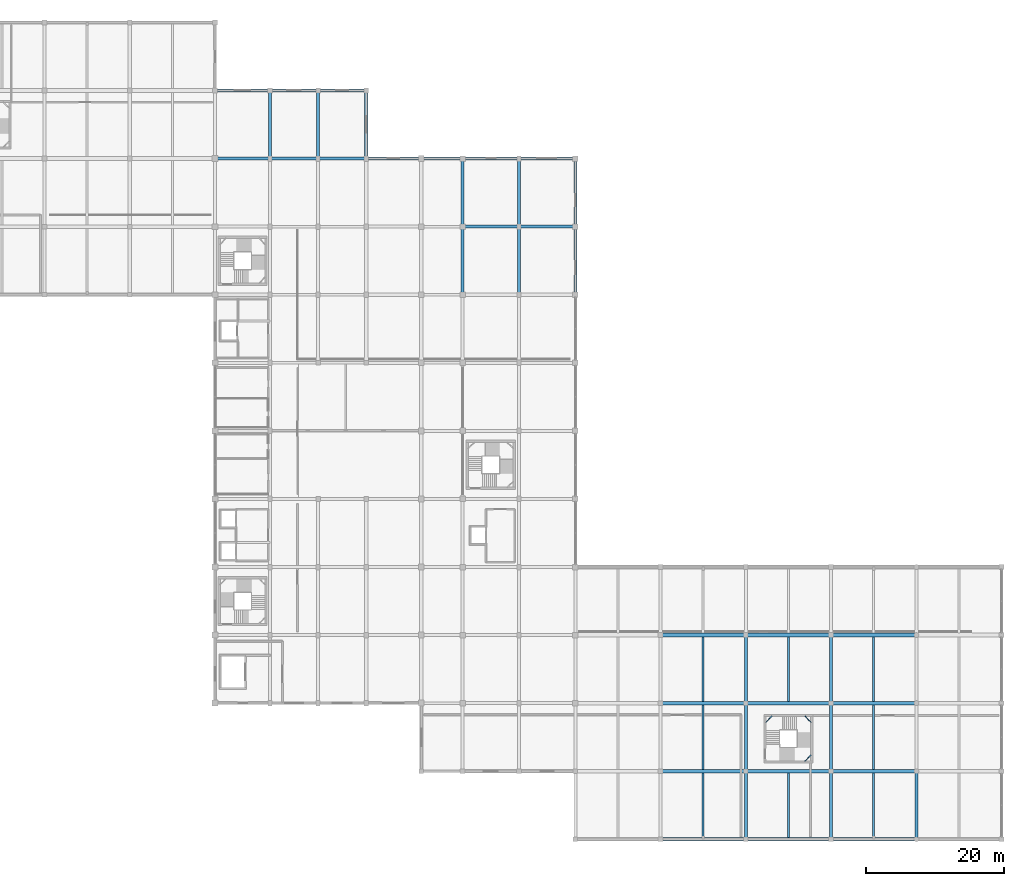
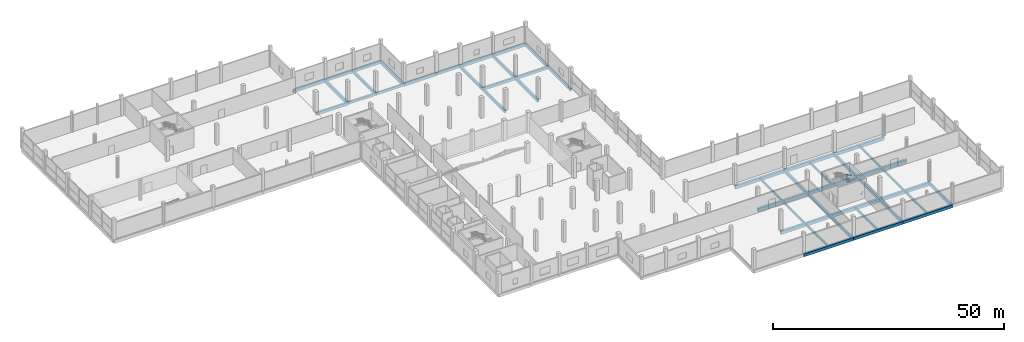
# One storey, part 31 of 72: 51 beams.
"""IFC4 building model written with IfcOpenShell, lengths in metres."""

from ifc_helpers import new_model, si_unit, direction, frame, origin, origin_2d, place, context, subcontext, project, spatial, rectangle, hollow_rectangle, extrude, material, material_profile, profile_set, type_object, element, save


model = new_model("IFC4")

# Units and contexts
model_context = context("Model", 3, precision=1e-05, world=origin(), true_north=direction((0.0, 1.0)))
body_context = subcontext(model_context, "Body", "Model", "MODEL_VIEW")
ifc_project = project(units=[si_unit("LENGTHUNIT", "METRE"), si_unit("AREAUNIT", "SQUARE_METRE"), si_unit("VOLUMEUNIT", "CUBIC_METRE"), si_unit("PLANEANGLEUNIT", "RADIAN"), si_unit("MASSUNIT", "GRAM", prefix="KILO")], contexts=[model_context])

# Site, building, storey
site_placement = place(None, origin())
site = spatial("IfcSite", under=ifc_project, at=site_placement, CompositionType="ELEMENT")
building_placement = place(site_placement, origin())
building = spatial("IfcBuilding", under=site, at=building_placement, Name="Sillaruma Civic Art Gallery", CompositionType="ELEMENT")
storey_placement = place(building_placement, frame((0.0, 0.0, 10.8798828125)))
storey = spatial("IfcBuildingStorey", under=building, at=storey_placement, Name="L02", CompositionType="ELEMENT", Elevation=10.8798828125)

# Beams
ifc_material_1 = material(Name="Concrete H35 (35 MPa)", Category="concrete")
ifc_material_profile_1 = material_profile(ifc_material_1, rectangle(XDim=0.39990234375, YDim=0.64990234375, at=origin_2d()), Name="RCB400x650")
ifc_profile_set_1 = profile_set([ifc_material_profile_1], Name="Concrete H35 (35 MPa)")
beam_type_1 = type_object("IfcBeamType", Name="BM-BEAM-RCB400x650", PredefinedType="BEAM", material=ifc_profile_set_1)
for number, where, z_axis, x_axis, name in (
    (1, (70.0, 99.0, -0.5849609375), (1.0, 0.0, 0.0), (0.0, 1.0, 0.0), "Beam BM-05 (L01:11:G-H)"),
    (2, (77.0, 99.0, -0.5849609375), (1.0, 0.0, 0.0), (0.0, 1.0, 0.0), "Beam BM-05 (L01:11:H-J)"),
):
    element("IfcBeam", number, at=place(storey_placement, frame(where, z_axis=z_axis, x_axis=x_axis)), inside=storey, type_object=beam_type_1, Name=name, PredefinedType="BEAM", context=body_context, shape_type="SweptSolid", body=[
        extrude(rectangle(XDim=0.39990234375, YDim=0.64990234375, at=origin_2d()), origin(), (0.0, 0.0, 1.0), 7.0),
    ])
beam_1_placement = place(storey_placement, frame((92.0, 99.0, -0.5849609375), z_axis=(1.0, 0.0, 0.0), x_axis=(0.0, 1.0, 0.0)))
element("IfcBeam", 3, at=beam_1_placement, inside=storey, type_object=beam_type_1, Name="Beam BM-05 (L01:11:K-L)", PredefinedType="BEAM", context=body_context, shape_type="SweptSolid", body=[
    extrude(rectangle(XDim=0.39990234375, YDim=0.64990234375, at=origin_2d()), origin(), (0.0, 0.0, 1.0), 6.0),
])
for number, where, z_axis, x_axis, name in (
    (4, (70.0, 108.89990234375, -0.5849609375), (1.0, 0.0, 0.0), (0.0, 1.0, 0.0), "Beam BM-05 (L01:12:G-H)"),
    (5, (77.0, 108.89990234375, -0.5849609375), (1.0, 0.0, 0.0), (0.0, 1.0, 0.0), "Beam BM-05 (L01:12:H-J)"),
):
    element("IfcBeam", number, at=place(storey_placement, frame(where, z_axis=z_axis, x_axis=x_axis)), inside=storey, type_object=beam_type_1, Name=name, PredefinedType="BEAM", context=body_context, shape_type="SweptSolid", body=[
        extrude(rectangle(XDim=0.39990234375, YDim=0.64990234375, at=origin_2d()), origin(), (0.0, 0.0, 1.0), 7.0),
    ])
ifc_material_2 = material(Name="Concrete H40 (40 MPa)", Category="concrete")
ifc_material_profile_2 = material_profile(ifc_material_2, rectangle(XDim=0.449951171875, YDim=0.75, at=origin_2d()), Name="RCB450x750")
ifc_profile_set_2 = profile_set([ifc_material_profile_2], Name="Concrete H40 (40 MPa)")
beam_type_2 = type_object("IfcBeamType", Name="BM-BEAM-RCB450x750", PredefinedType="BEAM", material=ifc_profile_set_2)
for number, where, z_axis, x_axis, name in (
    (6, (98.0, 89.10009765625, -0.634765625), (1.0, 0.0, 0.0), (0.0, 1.0, 0.0), "Beam BM-03 (L01:10:L-M)"),
    (7, (106.199951171875, 89.10009765625, -0.634765625), (1.0, 0.0, 0.0), (0.0, 1.0, 0.0), "Beam BM-03 (L01:10:M-N)"),
):
    element("IfcBeam", number, at=place(storey_placement, frame(where, z_axis=z_axis, x_axis=x_axis)), inside=storey, type_object=beam_type_2, Name=name, PredefinedType="BEAM", context=body_context, shape_type="SweptSolid", body=[
        extrude(rectangle(XDim=0.449951171875, YDim=0.75, at=origin_2d()), origin(), (0.0, 0.0, 1.0), 8.199951171875),
    ])
for number, where, z_axis, x_axis, name in (
    (8, (62.0, 99.0, -0.634765625), (1.0, 0.0, 0.0), (0.0, 1.0, 0.0), "Beam BM-03 (L01:11:F-G)"),
    (9, (84.0, 99.0, -0.634765625), (1.0, 0.0, 0.0), (0.0, 1.0, 0.0), "Beam BM-03 (L01:11:J-K)"),
):
    element("IfcBeam", number, at=place(storey_placement, frame(where, z_axis=z_axis, x_axis=x_axis)), inside=storey, type_object=beam_type_2, Name=name, PredefinedType="BEAM", context=body_context, shape_type="SweptSolid", body=[
        extrude(rectangle(XDim=0.449951171875, YDim=0.75, at=origin_2d()), origin(), (0.0, 0.0, 1.0), 8.0),
    ])
for number, where, z_axis, x_axis, name in (
    (10, (98.0, 99.0, -0.634765625), (1.0, 0.0, 0.0), (0.0, 1.0, 0.0), "Beam BM-03 (L01:11:L-M)"),
    (11, (106.199951171875, 99.0, -0.634765625), (1.0, 0.0, 0.0), (0.0, 1.0, 0.0), "Beam BM-03 (L01:11:M-N)"),
):
    element("IfcBeam", number, at=place(storey_placement, frame(where, z_axis=z_axis, x_axis=x_axis)), inside=storey, type_object=beam_type_2, Name=name, PredefinedType="BEAM", context=body_context, shape_type="SweptSolid", body=[
        extrude(rectangle(XDim=0.449951171875, YDim=0.75, at=origin_2d()), origin(), (0.0, 0.0, 1.0), 8.199951171875),
    ])
beam_2_placement = place(storey_placement, frame((62.0, 108.89990234375, -0.634765625), z_axis=(1.0, 0.0, 0.0), x_axis=(0.0, 1.0, 0.0)))
element("IfcBeam", 12, at=beam_2_placement, inside=storey, type_object=beam_type_2, Name="Beam BM-03 (L01:12:F-G)", PredefinedType="BEAM", context=body_context, shape_type="SweptSolid", body=[
    extrude(rectangle(XDim=0.449951171875, YDim=0.75, at=origin_2d()), origin(), (0.0, 0.0, 1.0), 8.0),
])
for number, where, z_axis, x_axis, name in (
    (13, (70.0, 99.0, -0.634765625), (0.0, 1.0, 0.0), (-1.0, 0.0, 0.0), "Beam BM-03 (L01:G:11-12)"),
    (14, (77.0, 99.0, -0.634765625), (0.0, 1.0, 0.0), (-1.0, 0.0, 0.0), "Beam BM-03 (L01:H:11-12)"),
    (15, (84.0, 99.0, -0.634765625), (0.0, 1.0, 0.0), (-1.0, 0.0, 0.0), "Beam BM-03 (L01:J:11-12)"),
):
    element("IfcBeam", number, at=place(storey_placement, frame(where, z_axis=z_axis, x_axis=x_axis)), inside=storey, type_object=beam_type_2, Name=name, PredefinedType="BEAM", context=body_context, shape_type="SweptSolid", body=[
        extrude(rectangle(XDim=0.449951171875, YDim=0.75, at=origin_2d()), origin(), (0.0, 0.0, 1.0), 9.89990234375),
    ])
beam_3_placement = place(storey_placement, frame((106.199951171875, 79.199951171875, -0.634765625), z_axis=(0.0, 1.0, 0.0), x_axis=(-1.0, 0.0, 0.0)))
element("IfcBeam", 16, at=beam_3_placement, inside=storey, type_object=beam_type_2, Name="Beam BM-03 (L01:M:9-10)", PredefinedType="BEAM", context=body_context, shape_type="SweptSolid", body=[
    extrude(rectangle(XDim=0.449951171875, YDim=0.75, at=origin_2d()), origin(), (0.0, 0.0, 1.0), 9.900146484375),
])
for number, where, z_axis, x_axis, name in (
    (17, (106.199951171875, 89.10009765625, -0.634765625), (0.0, 1.0, 0.0), (-1.0, 0.0, 0.0), "Beam BM-03 (L01:M:10-11)"),
    (18, (139.199951171875, 0.0, -0.634765625), (0.0, 1.0, 0.0), (-1.0, 0.0, 0.0), "Beam BM-03 (L01:Q:1-2)"),
):
    element("IfcBeam", number, at=place(storey_placement, frame(where, z_axis=z_axis, x_axis=x_axis)), inside=storey, type_object=beam_type_2, Name=name, PredefinedType="BEAM", context=body_context, shape_type="SweptSolid", body=[
        extrude(rectangle(XDim=0.449951171875, YDim=0.75, at=origin_2d()), origin(), (0.0, 0.0, 1.0), 9.89990234375),
    ])
beam_4_placement = place(storey_placement, frame((139.199951171875, 9.89990234375, -0.634765625), z_axis=(0.0, 1.0, 0.0), x_axis=(-1.0, 0.0, 0.0)))
element("IfcBeam", 19, at=beam_4_placement, inside=storey, type_object=beam_type_2, Name="Beam BM-03 (L01:Q:2-3)", PredefinedType="BEAM", context=body_context, shape_type="SweptSolid", body=[
    extrude(rectangle(XDim=0.449951171875, YDim=0.75, at=origin_2d()), origin(), (0.0, 0.0, 1.0), 9.900146484375),
])
for number, where, z_axis, x_axis, name in (
    (20, (139.199951171875, 19.800048828125, -0.634765625), (0.0, 1.0, 0.0), (-1.0, 0.0, 0.0), "Beam BM-03 (L01:Q:3-4)"),
    (21, (151.60009765625, 0.0, -0.634765625), (0.0, 1.0, 0.0), (-1.0, 0.0, 0.0), "Beam BM-03 (L01:R:1-2)"),
):
    element("IfcBeam", number, at=place(storey_placement, frame(where, z_axis=z_axis, x_axis=x_axis)), inside=storey, type_object=beam_type_2, Name=name, PredefinedType="BEAM", context=body_context, shape_type="SweptSolid", body=[
        extrude(rectangle(XDim=0.449951171875, YDim=0.75, at=origin_2d()), origin(), (0.0, 0.0, 1.0), 9.89990234375),
    ])
beam_5_placement = place(storey_placement, frame((151.60009765625, 9.89990234375, -0.634765625), z_axis=(0.0, 1.0, 0.0), x_axis=(-1.0, 0.0, 0.0)))
element("IfcBeam", 22, at=beam_5_placement, inside=storey, type_object=beam_type_2, Name="Beam BM-03 (L01:R:2-3)", PredefinedType="BEAM", context=body_context, shape_type="SweptSolid", body=[
    extrude(rectangle(XDim=0.449951171875, YDim=0.75, at=origin_2d()), origin(), (0.0, 0.0, 1.0), 9.900146484375),
])
for number, where, z_axis, x_axis, name in (
    (23, (151.60009765625, 19.800048828125, -0.634765625), (0.0, 1.0, 0.0), (-1.0, 0.0, 0.0), "Beam BM-03 (L01:R:3-4)"),
    (24, (164.0, 0.0, -0.634765625), (0.0, 1.0, 0.0), (-1.0, 0.0, 0.0), "Beam BM-03 (L01:S:1-2)"),
):
    element("IfcBeam", number, at=place(storey_placement, frame(where, z_axis=z_axis, x_axis=x_axis)), inside=storey, type_object=beam_type_2, Name=name, PredefinedType="BEAM", context=body_context, shape_type="SweptSolid", body=[
        extrude(rectangle(XDim=0.449951171875, YDim=0.75, at=origin_2d()), origin(), (0.0, 0.0, 1.0), 9.89990234375),
    ])
ifc_material_profile_3 = material_profile(ifc_material_2, rectangle(XDim=0.550048828125, YDim=0.85009765625, at=origin_2d()), Name="RCB550x850")
ifc_profile_set_3 = profile_set([ifc_material_profile_3], Name="Concrete H40 (40 MPa)")
beam_type_3 = type_object("IfcBeamType", Name="BM-BEAM-RCB550x850", PredefinedType="BEAM", material=ifc_profile_set_3)
beam_6_placement = place(storey_placement, frame((126.800048828125, 9.89990234375, -0.684814453125), z_axis=(1.0, 0.0, 0.0), x_axis=(0.0, 1.0, 0.0)))
element("IfcBeam", 25, at=beam_6_placement, inside=storey, type_object=beam_type_3, Name="Beam BM-01 (L01:2:P-Q)", PredefinedType="BEAM", context=body_context, shape_type="SweptSolid", body=[
    extrude(rectangle(XDim=0.550048828125, YDim=0.85009765625, at=origin_2d()), origin(), (0.0, 0.0, 1.0), 12.39990234375),
])
beam_7_placement = place(storey_placement, frame((139.199951171875, 9.89990234375, -0.684814453125), z_axis=(1.0, 0.0, 0.0), x_axis=(0.0, 1.0, 0.0)))
element("IfcBeam", 26, at=beam_7_placement, inside=storey, type_object=beam_type_3, Name="Beam BM-01 (L01:2:Q-R)", PredefinedType="BEAM", context=body_context, shape_type="SweptSolid", body=[
    extrude(rectangle(XDim=0.550048828125, YDim=0.85009765625, at=origin_2d()), origin(), (0.0, 0.0, 1.0), 12.400146484375),
])
for number, where, z_axis, x_axis, name in (
    (27, (151.60009765625, 9.89990234375, -0.684814453125), (1.0, 0.0, 0.0), (0.0, 1.0, 0.0), "Beam BM-01 (L01:2:R-S)"),
    (28, (126.800048828125, 19.800048828125, -0.684814453125), (1.0, 0.0, 0.0), (0.0, 1.0, 0.0), "Beam BM-01 (L01:3:P-Q)"),
):
    element("IfcBeam", number, at=place(storey_placement, frame(where, z_axis=z_axis, x_axis=x_axis)), inside=storey, type_object=beam_type_3, Name=name, PredefinedType="BEAM", context=body_context, shape_type="SweptSolid", body=[
        extrude(rectangle(XDim=0.550048828125, YDim=0.85009765625, at=origin_2d()), origin(), (0.0, 0.0, 1.0), 12.39990234375),
    ])
beam_8_placement = place(storey_placement, frame((139.199951171875, 19.800048828125, -0.684814453125), z_axis=(1.0, 0.0, 0.0), x_axis=(0.0, 1.0, 0.0)))
element("IfcBeam", 29, at=beam_8_placement, inside=storey, type_object=beam_type_3, Name="Beam BM-01 (L01:3:Q-R)", PredefinedType="BEAM", context=body_context, shape_type="SweptSolid", body=[
    extrude(rectangle(XDim=0.550048828125, YDim=0.85009765625, at=origin_2d()), origin(), (0.0, 0.0, 1.0), 12.400146484375),
])
for number, where, z_axis, x_axis, name in (
    (30, (151.60009765625, 19.800048828125, -0.684814453125), (1.0, 0.0, 0.0), (0.0, 1.0, 0.0), "Beam BM-01 (L01:3:R-S)"),
    (31, (126.800048828125, 29.699951171875, -0.684814453125), (1.0, 0.0, 0.0), (0.0, 1.0, 0.0), "Beam BM-01 (L01:4:P-Q)"),
):
    element("IfcBeam", number, at=place(storey_placement, frame(where, z_axis=z_axis, x_axis=x_axis)), inside=storey, type_object=beam_type_3, Name=name, PredefinedType="BEAM", context=body_context, shape_type="SweptSolid", body=[
        extrude(rectangle(XDim=0.550048828125, YDim=0.85009765625, at=origin_2d()), origin(), (0.0, 0.0, 1.0), 12.39990234375),
    ])
beam_9_placement = place(storey_placement, frame((139.199951171875, 29.699951171875, -0.684814453125), z_axis=(1.0, 0.0, 0.0), x_axis=(0.0, 1.0, 0.0)))
element("IfcBeam", 32, at=beam_9_placement, inside=storey, type_object=beam_type_3, Name="Beam BM-01 (L01:4:Q-R)", PredefinedType="BEAM", context=body_context, shape_type="SweptSolid", body=[
    extrude(rectangle(XDim=0.550048828125, YDim=0.85009765625, at=origin_2d()), origin(), (0.0, 0.0, 1.0), 12.400146484375),
])
beam_10_placement = place(storey_placement, frame((151.60009765625, 29.699951171875, -0.684814453125), z_axis=(1.0, 0.0, 0.0), x_axis=(0.0, 1.0, 0.0)))
element("IfcBeam", 33, at=beam_10_placement, inside=storey, type_object=beam_type_3, Name="Beam BM-01 (L01:4:R-S)", PredefinedType="BEAM", context=body_context, shape_type="SweptSolid", body=[
    extrude(rectangle(XDim=0.550048828125, YDim=0.85009765625, at=origin_2d()), origin(), (0.0, 0.0, 1.0), 12.39990234375),
])
ifc_material_profile_4 = material_profile(ifc_material_1, rectangle(XDim=0.300048828125, YDim=0.52001953125, at=origin_2d()), Name="RCB300x520")
ifc_profile_set_4 = profile_set([ifc_material_profile_4], Name="Concrete H35 (35 MPa)")
beam_type_4 = type_object("IfcBeamType", Name="BM-JOIST-RCB300x520", PredefinedType="JOIST", material=ifc_profile_set_4)
for number, where, z_axis, x_axis, name in (
    (34, (133.0, 0.22509765625, -0.519775390625), (0.0, 1.0, 0.0), (-1.0, 0.0, 0.0), "Floor Joist JR-01 (L01:PQ:1-2)"),
    (35, (145.39990234375, 0.22509765625, -0.519775390625), (0.0, 1.0, 0.0), (-1.0, 0.0, 0.0), "Floor Joist JR-01 (L01:QR:1-2)"),
    (36, (157.800048828125, 0.22509765625, -0.519775390625), (0.0, 1.0, 0.0), (-1.0, 0.0, 0.0), "Floor Joist JR-01 (L01:RS:1-2)"),
):
    element("IfcBeam", number, at=place(storey_placement, frame(where, z_axis=z_axis, x_axis=x_axis)), inside=storey, type_object=beam_type_4, Name=name, PredefinedType="JOIST", context=body_context, shape_type="SweptSolid", body=[
        extrude(rectangle(XDim=0.300048828125, YDim=0.52001953125, at=origin_2d()), origin(), (0.0, 0.0, 1.0), 9.39990234375),
    ])
for number, where, z_axis, x_axis, name in (
    (37, (133.0, 10.175048828125, -0.519775390625), (0.0, 1.0, 0.0), (-1.0, 0.0, 0.0), "Floor Joist JR-01 (L01:PQ:2-3)"),
    (38, (157.800048828125, 10.175048828125, -0.519775390625), (0.0, 1.0, 0.0), (-1.0, 0.0, 0.0), "Floor Joist JR-01 (L01:RS:2-3)"),
):
    element("IfcBeam", number, at=place(storey_placement, frame(where, z_axis=z_axis, x_axis=x_axis)), inside=storey, type_object=beam_type_4, Name=name, PredefinedType="JOIST", context=body_context, shape_type="SweptSolid", body=[
        extrude(rectangle(XDim=0.300048828125, YDim=0.52001953125, at=origin_2d()), origin(), (0.0, 0.0, 1.0), 9.349853515625),
    ])
for number, where, z_axis, x_axis, name in (
    (39, (133.0, 20.074951171875, -0.519775390625), (0.0, 1.0, 0.0), (-1.0, 0.0, 0.0), "Floor Joist JR-01 (L01:PQ:3-4)"),
    (40, (145.39990234375, 20.074951171875, -0.519775390625), (0.0, 1.0, 0.0), (-1.0, 0.0, 0.0), "Floor Joist JR-01 (L01:QR:3-4)"),
    (41, (157.800048828125, 20.074951171875, -0.519775390625), (0.0, 1.0, 0.0), (-1.0, 0.0, 0.0), "Floor Joist JR-01 (L01:RS:3-4)"),
):
    element("IfcBeam", number, at=place(storey_placement, frame(where, z_axis=z_axis, x_axis=x_axis)), inside=storey, type_object=beam_type_4, Name=name, PredefinedType="JOIST", context=body_context, shape_type="SweptSolid", body=[
        extrude(rectangle(XDim=0.300048828125, YDim=0.52001953125, at=origin_2d()), origin(), (0.0, 0.0, 1.0), 9.35009765625),
    ])
ifc_material_3 = material(Name="Structural Steel ASTM A500 Gr.C", Category="steel")
ifc_material_profile_5 = material_profile(ifc_material_3, hollow_rectangle(XDim=0.080078125, YDim=0.159912109375, WallThickness=0.008056640625, InnerFilletRadius=0.008056640625, OuterFilletRadius=0.01611328125, at=origin_2d()), Name="HSS160x80x8")
ifc_profile_set_5 = profile_set([ifc_material_profile_5], Name="Structural Steel ASTM A500 Gr.C")
beam_type_5 = type_object("IfcBeamType", Name="BM-LND-HSS160", PredefinedType="BEAM", material=ifc_profile_set_5)
for number, where, z_axis, x_axis, name in (
    (42, (147.7900390625, 11.360107421875, 1.080078125), (0.707106781187, 0.707106781187, 0.0), (-0.707106781187, 0.707106781187, 0.0), "Stair Corner Landing Trimmer Beam (ST-05-L02-1)"),
    (43, (147.7900390625, 17.919921875, 2.440185546875), (0.707106781187, -0.707106781187, 0.0), (0.707106781187, 0.707106781187, 0.0), "Stair Corner Landing Trimmer Beam (ST-05-L02-2)"),
    (44, (142.1201171875, 17.030029296875, 3.800048828125), (0.707106781187, 0.707106781187, 0.0), (-0.707106781187, 0.707106781187, 0.0), "Stair Corner Landing Trimmer Beam (ST-05-L02-3)"),
):
    element("IfcBeam", number, at=place(storey_placement, frame(where, z_axis=z_axis, x_axis=x_axis)), inside=storey, type_object=beam_type_5, Name=name, PredefinedType="BEAM", context=body_context, shape_type="SweptSolid", body=[
        extrude(hollow_rectangle(XDim=0.080078125, YDim=0.159912109375, WallThickness=0.008056640625, InnerFilletRadius=0.008056640625, OuterFilletRadius=0.01611328125, at=origin_2d()), origin(), (0.0, 0.0, 1.0), 1.258544921875),
    ])
ifc_material_profile_6 = material_profile(ifc_material_1, rectangle(XDim=0.449951171875, YDim=0.699951171875, at=origin_2d()), Name="RCB450x700")
ifc_profile_set_6 = profile_set([ifc_material_profile_6], Name="Concrete H35 (35 MPa)")
beam_type_6 = type_object("IfcBeamType", Name="BM-SPANDREL-RCB450x700", PredefinedType="SPANDREL", material=ifc_profile_set_6)
beam_11_placement = place(storey_placement, frame((98.0, 79.199951171875, -0.60986328125), z_axis=(0.0, 1.0, 0.0), x_axis=(-1.0, 0.0, 0.0)))
element("IfcBeam", 45, at=beam_11_placement, inside=storey, type_object=beam_type_6, Name="Beam BS-03 (L01:L:9-10)", PredefinedType="SPANDREL", context=body_context, shape_type="SweptSolid", body=[
    extrude(rectangle(XDim=0.449951171875, YDim=0.699951171875, at=origin_2d()), origin(), (0.0, 0.0, 1.0), 9.900146484375),
])
beam_12_placement = place(storey_placement, frame((98.0, 89.10009765625, -0.60986328125), z_axis=(0.0, 1.0, 0.0), x_axis=(-1.0, 0.0, 0.0)))
element("IfcBeam", 46, at=beam_12_placement, inside=storey, type_object=beam_type_6, Name="Beam BS-03 (L01:L:10-11)", PredefinedType="SPANDREL", context=body_context, shape_type="SweptSolid", body=[
    extrude(rectangle(XDim=0.449951171875, YDim=0.699951171875, at=origin_2d()), origin(), (0.0, 0.0, 1.0), 9.89990234375),
])
beam_13_placement = place(storey_placement, frame((114.39990234375, 79.199951171875, -0.60986328125), z_axis=(0.0, 1.0, 0.0), x_axis=(-1.0, 0.0, 0.0)))
element("IfcBeam", 47, at=beam_13_placement, inside=storey, type_object=beam_type_6, Name="Beam BS-03 (L01:N:9-10)", PredefinedType="SPANDREL", context=body_context, shape_type="SweptSolid", body=[
    extrude(rectangle(XDim=0.449951171875, YDim=0.699951171875, at=origin_2d()), origin(), (0.0, 0.0, 1.0), 9.900146484375),
])
beam_14_placement = place(storey_placement, frame((114.39990234375, 89.10009765625, -0.60986328125), z_axis=(0.0, 1.0, 0.0), x_axis=(-1.0, 0.0, 0.0)))
element("IfcBeam", 48, at=beam_14_placement, inside=storey, type_object=beam_type_6, Name="Beam BS-03 (L01:N:10-11)", PredefinedType="SPANDREL", context=body_context, shape_type="SweptSolid", body=[
    extrude(rectangle(XDim=0.449951171875, YDim=0.699951171875, at=origin_2d()), origin(), (0.0, 0.0, 1.0), 9.89990234375),
])
ifc_material_profile_7 = material_profile(ifc_material_2, rectangle(XDim=0.449951171875, YDim=0.75, at=origin_2d()), Name="RCB450x750")
ifc_profile_set_7 = profile_set([ifc_material_profile_7], Name="Concrete H40 (40 MPa)")
beam_type_7 = type_object("IfcBeamType", Name="BM-SPANDREL-RCB450x750", PredefinedType="SPANDREL", material=ifc_profile_set_7)
beam_15_placement = place(storey_placement, frame((126.800048828125, 0.0, -0.634765625), z_axis=(1.0, 0.0, 0.0), x_axis=(0.0, 1.0, 0.0)))
element("IfcBeam", 49, at=beam_15_placement, inside=storey, type_object=beam_type_7, Name="Beam BS-01 (L01:1:P-Q)", PredefinedType="SPANDREL", context=body_context, shape_type="SweptSolid", body=[
    extrude(rectangle(XDim=0.449951171875, YDim=0.75, at=origin_2d()), origin(), (0.0, 0.0, 1.0), 12.39990234375),
])
beam_16_placement = place(storey_placement, frame((139.199951171875, 0.0, -0.634765625), z_axis=(1.0, 0.0, 0.0), x_axis=(0.0, 1.0, 0.0)))
element("IfcBeam", 50, at=beam_16_placement, inside=storey, type_object=beam_type_7, Name="Beam BS-01 (L01:1:Q-R)", PredefinedType="SPANDREL", context=body_context, shape_type="SweptSolid", body=[
    extrude(rectangle(XDim=0.449951171875, YDim=0.75, at=origin_2d()), origin(), (0.0, 0.0, 1.0), 12.400146484375),
])
beam_17_placement = place(storey_placement, frame((151.60009765625, 0.0, -0.634765625), z_axis=(1.0, 0.0, 0.0), x_axis=(0.0, 1.0, 0.0)))
element("IfcBeam", 51, at=beam_17_placement, inside=storey, type_object=beam_type_7, Name="Beam BS-01 (L01:1:R-S)", PredefinedType="SPANDREL", context=body_context, shape_type="SweptSolid", body=[
    extrude(rectangle(XDim=0.449951171875, YDim=0.75, at=origin_2d()), origin(), (0.0, 0.0, 1.0), 12.39990234375),
])

save(model, "model.ifc")
